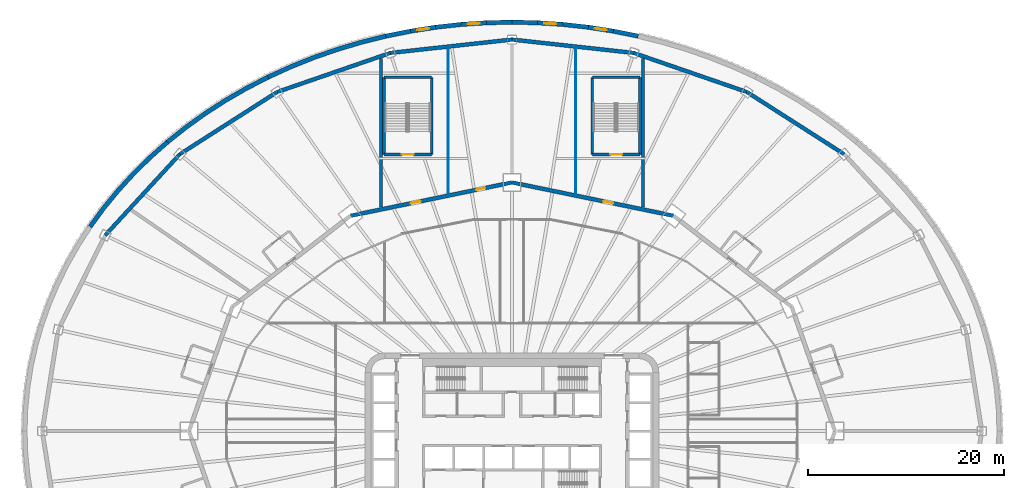
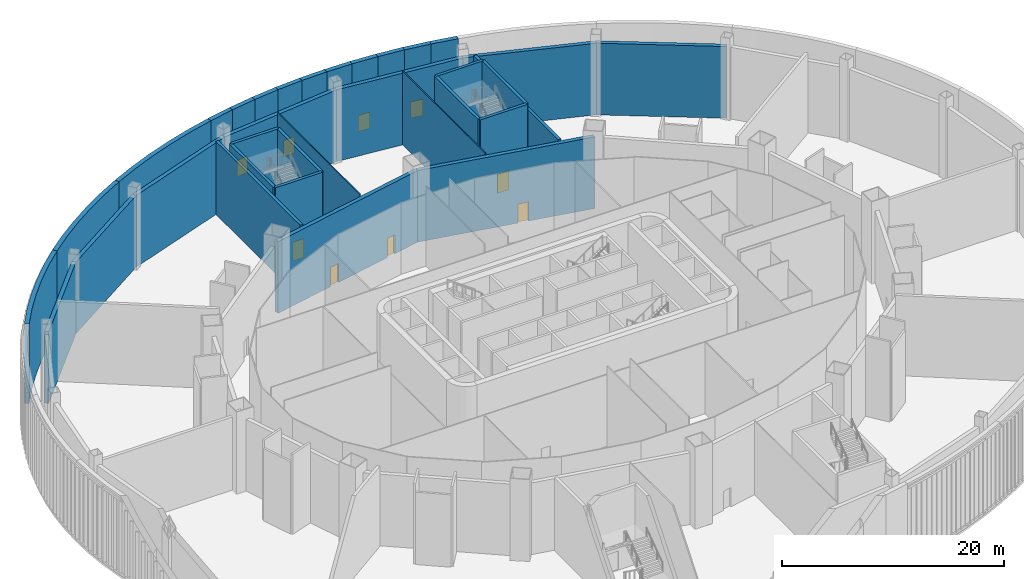
# One storey, part 13 of 35: 34 walls, 5 doors, 4 windows, 9 openings.
"""IFC4 building model written with IfcOpenShell, lengths in metres."""

from ifc_helpers import new_model, si_unit, direction, frame, frame_2d, origin, place, context, subcontext, project, spatial, polyline, rectangle, outline, extrude, material, layer, layer_set, type_object, element, fill, save


model = new_model("IFC4")

# Units and contexts
model_context = context("Model", 3, precision=1e-05, world=origin(), true_north=direction((0.0, 1.0)))
body_context = subcontext(model_context, "Body", "Model", "MODEL_VIEW")
ifc_project = project(units=[si_unit("LENGTHUNIT", "METRE"), si_unit("AREAUNIT", "SQUARE_METRE"), si_unit("VOLUMEUNIT", "CUBIC_METRE"), si_unit("PLANEANGLEUNIT", "RADIAN"), si_unit("MASSUNIT", "GRAM", prefix="KILO")], contexts=[model_context])

# Site, building, storey
site_placement = place(None, origin())
site = spatial("IfcSite", under=ifc_project, at=site_placement, CompositionType="ELEMENT")
building_placement = place(site_placement, origin())
building = spatial("IfcBuilding", under=site, at=building_placement, Name="Sahrelin Media Tower", CompositionType="ELEMENT")
storey_placement = place(building_placement, frame((0.0, 0.0, 8.0)))
storey = spatial("IfcBuildingStorey", under=building, at=storey_placement, Name="L01", CompositionType="ELEMENT", Elevation=8.0)

# Walls
ifc_material_1 = material(Name="Fire-rated gypsum board partition")
ifc_layer_1 = layer(ifc_material_1, 0.300048828125)
ifc_layer_set_1 = layer_set([ifc_layer_1], Name="Fire-rated partition 300")
wall_type_1 = type_object("IfcWallType", Name="Fire-rated partition 300", PredefinedType="PARTITIONING", material=ifc_layer_set_1)
for number, where, z_axis, x_axis, name in (
    (1, (13.39990234375, 22.87158203125, 0.0), (0.0, 0.0, 1.0), (0.0, 1.0, 0.0), "Wall"),
    (2, (-13.39990234375, 22.87158203125, 0.0), (0.0, 0.0, 1.0), (0.0, 1.0, 0.0), "Wall"),
):
    element("IfcWall", number, at=place(storey_placement, frame(where, z_axis=z_axis, x_axis=x_axis)), inside=storey, type_object=wall_type_1, Name=name, PredefinedType="PARTITIONING", context=body_context, shape_type="SweptSolid", body=[
        extrude(rectangle(XDim=15.216796875, YDim=0.300048828125, at=frame_2d((7.6083984375, 0.0))), origin(), (0.0, 0.0, 1.0), 8.02587890625),
    ])
ifc_layer_2 = layer(ifc_material_1, 0.39990234375)
ifc_layer_set_2 = layer_set([ifc_layer_2], Name="Fire-rated partition 400")
wall_type_2 = type_object("IfcWallType", Name="Fire-rated partition 400", PredefinedType="PARTITIONING", material=ifc_layer_set_2)
wall_1_placement = place(storey_placement, frame((33.941162109375, 28.2841796875, 0.0), z_axis=(0.0, 0.0, 1.0), x_axis=(-0.842479506869, 0.538728392147, 0.0)))
element("IfcWall", 3, at=wall_1_placement, inside=storey, type_object=wall_type_2, Name="Wall", PredefinedType="PARTITIONING", context=body_context, shape_type="SweptSolid", body=[
    extrude(rectangle(XDim=11.7998046875, YDim=0.39990234375, at=frame_2d((5.89990234375, 0.0))), origin(), (0.0, 0.0, 1.0), 7.876953125),
])
wall_2_placement = place(storey_placement, frame((24.0, 34.64111328125, 0.0), z_axis=(0.0, 0.0, 1.0), x_axis=(-0.94527485301, 0.326275117449, 0.0)))
element("IfcWall", 4, at=wall_2_placement, inside=storey, type_object=wall_type_2, Name="Wall", PredefinedType="PARTITIONING", context=body_context, shape_type="SweptSolid", body=[
    extrude(rectangle(XDim=12.246826171875, YDim=0.39990234375, at=frame_2d((6.12353515625, 0.0))), origin(), (0.0, 0.0, 1.0), 7.876953125),
])
for number, where, z_axis, x_axis, name in (
    (5, (12.42333984375, 38.636962890625, 0.0), (0.0, 0.0, 1.0), (-0.994035016934, 0.109061382297, 0.0), "Wall"),
    (6, (0.0, 40.0, 0.0), (0.0, 0.0, 1.0), (-0.994035016934, -0.109061382297, 0.0), "Wall"),
):
    element("IfcWall", number, at=place(storey_placement, frame(where, z_axis=z_axis, x_axis=x_axis)), inside=storey, type_object=wall_type_2, Name=name, PredefinedType="PARTITIONING", context=body_context, shape_type="SweptSolid", body=[
        extrude(rectangle(XDim=12.497802734375, YDim=0.39990234375, at=frame_2d((6.2490234375, 0.0))), origin(), (0.0, 0.0, 1.0), 7.876953125),
    ])
wall_3_placement = place(storey_placement, frame((-12.42333984375, 38.636962890625, 0.0), z_axis=(0.0, 0.0, 1.0), x_axis=(-0.94527485301, -0.326275117449, 0.0)))
element("IfcWall", 7, at=wall_3_placement, inside=storey, type_object=wall_type_2, Name="Wall", PredefinedType="PARTITIONING", context=body_context, shape_type="SweptSolid", body=[
    extrude(rectangle(XDim=12.246826171875, YDim=0.39990234375, at=frame_2d((6.12353515625, 0.0))), origin(), (0.0, 0.0, 1.0), 7.876953125),
])
wall_4_placement = place(storey_placement, frame((-24.0, 34.64111328125, 0.0), z_axis=(0.0, 0.0, 1.0), x_axis=(-0.842479506869, -0.538728392147, 0.0)))
element("IfcWall", 8, at=wall_4_placement, inside=storey, type_object=wall_type_2, Name="Wall", PredefinedType="PARTITIONING", context=body_context, shape_type="SweptSolid", body=[
    extrude(rectangle(XDim=11.7998046875, YDim=0.39990234375, at=frame_2d((5.89990234375, 0.0))), origin(), (0.0, 0.0, 1.0), 7.876953125),
])
wall_5_placement = place(storey_placement, frame((-33.941162109375, 28.2841796875, 0.0), z_axis=(0.0, 0.0, 1.0), x_axis=(-0.67736833065, -0.735644033914, 0.0)))
element("IfcWall", 9, at=wall_5_placement, inside=storey, type_object=wall_type_2, Name="Wall", PredefinedType="PARTITIONING", context=body_context, shape_type="SweptSolid", body=[
    extrude(rectangle(XDim=11.26123046875, YDim=0.39990234375, at=frame_2d((5.630615234375, 0.0))), origin(), (0.0, 0.0, 1.0), 7.876953125),
])

# Wall, opening, door
wall_6_placement = place(storey_placement, frame((16.5, 21.9970703125, 0.0), z_axis=(0.0, 0.0, 1.0), x_axis=(-0.979389305257, 0.201981654484, 0.0)))
wall_6 = element("IfcWall", 10, at=wall_6_placement, inside=storey, type_object=wall_type_2, Name="Wall", PredefinedType="PARTITIONING", context=body_context, shape_type="SweptSolid", body=[
    extrude(rectangle(XDim=16.84716796875, YDim=0.39990234375, at=frame_2d((8.423583984375, 0.0))), origin(), (0.0, 0.0, 1.0), 7.8681640625),
])
opening_1_placement = place(wall_6_placement, frame((6.300048828125, 0.0, 0.0)))
opening_1 = element("IfcOpeningElement", 11, at=opening_1_placement, cuts=wall_6, Name="Opening L01-D26", PredefinedType="OPENING", context=body_context, shape_type="SweptSolid", body=[
    extrude(rectangle(XDim=1.0, YDim=2.10009765625, at=frame_2d((0.5, 1.050048828125))), frame((0.0, 0.199951171875, 0.0), z_axis=(0.0, -1.0, 0.0), x_axis=(1.0, 0.0, 0.0)), (0.0, 0.0, 1.0), 0.39990234375),
])
ifc_material_2 = material(Name="Steel fire door leaf", Category="steel")
door_type_1 = type_object("IfcDoorType", Name="Lobby door 1000 x 2100 EI 60", OperationType="NOTDEFINED", PredefinedType="DOOR", material=ifc_material_2)
door_1_placement = place(opening_1_placement, origin())
door_1 = element("IfcDoor", 12, at=door_1_placement, inside=storey, type_object=door_type_1, Name="Lobby door", OperationType="SINGLE_SWING_LEFT", OverallHeight=2.10009765625, OverallWidth=1.0, PredefinedType="DOOR", context=body_context, shape_type="SweptSolid", body=[
    extrude(rectangle(XDim=1.0, YDim=2.10009765625, at=frame_2d((0.5, 1.050048828125))), frame((0.0, 0.02490234375, 0.0), z_axis=(0.0, -1.0, 0.0), x_axis=(1.0, 0.0, 0.0)), (0.0, 0.0, 1.0), 0.050048828125),
])
fill(opening_1, door_1)

# Wall, openings, doors
wall_7_placement = place(storey_placement, frame((0.0, 25.39990234375, 0.0), z_axis=(0.0, 0.0, 1.0), x_axis=(-0.979389305257, -0.201981654484, 0.0)))
wall_7 = element("IfcWall", 13, at=wall_7_placement, inside=storey, type_object=wall_type_2, Name="Wall", PredefinedType="PARTITIONING", context=body_context, shape_type="SweptSolid", body=[
    extrude(rectangle(XDim=16.84716796875, YDim=0.39990234375, at=frame_2d((8.423583984375, 0.0))), origin(), (0.0, 0.0, 1.0), 7.8681640625),
])
opening_2_placement = place(wall_7_placement, frame((9.550048828125, 0.0, 0.0)))
opening_2 = element("IfcOpeningElement", 14, at=opening_2_placement, cuts=wall_7, Name="Opening L01-D25", PredefinedType="OPENING", context=body_context, shape_type="SweptSolid", body=[
    extrude(rectangle(XDim=1.0, YDim=2.10009765625, at=frame_2d((0.5, 1.050048828125))), frame((0.0, 0.199951171875, 0.0), z_axis=(0.0, -1.0, 0.0), x_axis=(1.0, 0.0, 0.0)), (0.0, 0.0, 1.0), 0.39990234375),
])
opening_3_placement = place(wall_7_placement, frame((2.800048828125, 0.0, 0.0)))
opening_3 = element("IfcOpeningElement", 15, at=opening_3_placement, cuts=wall_7, Name="Opening L01-D32", PredefinedType="OPENING", context=body_context, shape_type="SweptSolid", body=[
    extrude(rectangle(XDim=0.89990234375, YDim=2.10009765625, at=frame_2d((0.449951171875, 1.050048828125))), frame((0.0, 0.199951171875, 0.0), z_axis=(0.0, -1.0, 0.0), x_axis=(1.0, 0.0, 0.0)), (0.0, 0.0, 1.0), 0.39990234375),
])
door_2_placement = place(opening_2_placement, origin())
door_2 = element("IfcDoor", 16, at=door_2_placement, inside=storey, type_object=door_type_1, Name="Lobby door", OperationType="SINGLE_SWING_RIGHT", OverallHeight=2.10009765625, OverallWidth=1.0, PredefinedType="DOOR", context=body_context, shape_type="SweptSolid", body=[
    extrude(rectangle(XDim=1.0, YDim=2.10009765625, at=frame_2d((0.5, 1.050048828125))), frame((0.0, 0.02490234375, 0.0), z_axis=(0.0, -1.0, 0.0), x_axis=(1.0, 0.0, 0.0)), (0.0, 0.0, 1.0), 0.050048828125),
])
fill(opening_2, door_2)
ifc_material_3 = material(Name="Timber door leaf", Category="wood")
door_type_2 = type_object("IfcDoorType", Name="Single door 900 x 2100", OperationType="NOTDEFINED", PredefinedType="DOOR", material=ifc_material_3)
door_3_placement = place(opening_3_placement, origin())
door_3 = element("IfcDoor", 17, at=door_3_placement, inside=storey, type_object=door_type_2, Name="Single door", OperationType="SINGLE_SWING_LEFT", OverallHeight=2.10009765625, OverallWidth=0.89990234375, PredefinedType="DOOR", context=body_context, shape_type="SweptSolid", body=[
    extrude(rectangle(XDim=0.89990234375, YDim=2.10009765625, at=frame_2d((0.449951171875, 1.050048828125))), frame((0.0, 0.02490234375, 0.0), z_axis=(0.0, -1.0, 0.0), x_axis=(1.0, 0.0, 0.0)), (0.0, 0.0, 1.0), 0.050048828125),
])
fill(opening_3, door_3)

# Walls
ifc_material_4 = material(Name="Gypsum board partition")
ifc_layer_3 = layer(ifc_material_4, 0.10009765625)
ifc_layer_set_3 = layer_set([ifc_layer_3], Name="Partition 100")
wall_type_3 = type_object("IfcWallType", Name="Partition 100", PredefinedType="PARTITIONING", material=ifc_layer_set_3)
for number, where, z_axis, x_axis, name in (
    (18, (6.5, 24.27392578125, 0.0), (0.0, 0.0, 1.0), (0.0, 1.0, 0.0), "Wall"),
    (19, (-6.5, 24.27392578125, 0.0), (0.0, 0.0, 1.0), (0.0, 1.0, 0.0), "Wall"),
):
    element("IfcWall", number, at=place(storey_placement, frame(where, z_axis=z_axis, x_axis=x_axis)), inside=storey, type_object=wall_type_3, Name=name, PredefinedType="PARTITIONING", context=body_context, shape_type="SweptSolid", body=[
        extrude(rectangle(XDim=14.811767578125, YDim=0.10009765625, at=frame_2d((7.40576171875, 0.0))), origin(), (0.0, 0.0, 1.0), 8.10205078125),
    ])

# Wall, opening, door
ifc_material_5 = material(Name="Concrete C60/75", Category="concrete")
ifc_layer_4 = layer(ifc_material_5, 0.300048828125)
ifc_layer_set_4 = layer_set([ifc_layer_4], Name="Stair enclosure wall 300")
wall_type_4 = type_object("IfcWallType", Name="Stair enclosure wall 300", PredefinedType="SOLIDWALL", material=ifc_layer_set_4)
wall_8_placement = place(storey_placement, frame((13.10009765625, 28.25, 0.0), z_axis=(0.0, 0.0, 1.0), x_axis=(-1.0, 0.0, 0.0)))
wall_8 = element("IfcWall", 20, at=wall_8_placement, inside=storey, type_object=wall_type_4, Name="Stair PS1", PredefinedType="SOLIDWALL", context=body_context, shape_type="SweptSolid", body=[
    extrude(rectangle(XDim=4.900146484375, YDim=0.300048828125, at=frame_2d((2.4501953125, 0.0))), origin(), (0.0, 0.0, 1.0), 8.800048828125),
])
opening_4_placement = place(wall_8_placement, frame((1.85009765625, 0.0, 0.0)))
opening_4 = element("IfcOpeningElement", 21, at=opening_4_placement, cuts=wall_8, Name="Opening L01-D27", PredefinedType="OPENING", context=body_context, shape_type="SweptSolid", body=[
    extrude(rectangle(XDim=1.199951171875, YDim=2.10009765625, at=frame_2d((0.60009765625, 1.050048828125))), frame((0.0, 0.14990234375, 0.0), z_axis=(0.0, -1.0, 0.0), x_axis=(1.0, 0.0, 0.0)), (0.0, 0.0, 1.0), 0.300048828125),
])
door_type_3 = type_object("IfcDoorType", Name="Stair door 1200 x 2100 EI 120", OperationType="NOTDEFINED", PredefinedType="DOOR", material=ifc_material_2)
door_4_placement = place(opening_4_placement, origin())
door_4 = element("IfcDoor", 22, at=door_4_placement, inside=storey, type_object=door_type_3, Name="Stair door", OperationType="SINGLE_SWING_RIGHT", OverallHeight=2.10009765625, OverallWidth=1.199951171875, PredefinedType="DOOR", context=body_context, shape_type="SweptSolid", body=[
    extrude(rectangle(XDim=1.199951171875, YDim=2.10009765625, at=frame_2d((0.60009765625, 1.050048828125))), frame((0.0, 0.02490234375, 0.0), z_axis=(0.0, -1.0, 0.0), x_axis=(1.0, 0.0, 0.0)), (0.0, 0.0, 1.0), 0.050048828125),
])
fill(opening_4, door_4)

# Walls
wall_9_placement = place(storey_placement, frame((8.199951171875, 28.25, 0.0), z_axis=(0.0, 0.0, 1.0), x_axis=(0.0, 1.0, 0.0)))
element("IfcWall", 23, at=wall_9_placement, inside=storey, type_object=wall_type_4, Name="Stair PS1", PredefinedType="SOLIDWALL", context=body_context, shape_type="SweptSolid", body=[
    extrude(rectangle(XDim=7.89990234375, YDim=0.300048828125, at=frame_2d((3.949951171875, 0.0))), origin(), (0.0, 0.0, 1.0), 8.800048828125),
])
wall_10_placement = place(storey_placement, frame((8.199951171875, 36.14990234375, 0.0), z_axis=(0.0, 0.0, 1.0), x_axis=(1.0, 0.0, 0.0)))
element("IfcWall", 24, at=wall_10_placement, inside=storey, type_object=wall_type_4, Name="Stair PS1", PredefinedType="SOLIDWALL", context=body_context, shape_type="SweptSolid", body=[
    extrude(rectangle(XDim=4.900146484375, YDim=0.300048828125, at=frame_2d((2.4501953125, 0.0))), origin(), (0.0, 0.0, 1.0), 8.800048828125),
])
wall_11_placement = place(storey_placement, frame((13.10009765625, 36.14990234375, 0.0), z_axis=(0.0, 0.0, 1.0), x_axis=(0.0, -1.0, 0.0)))
element("IfcWall", 25, at=wall_11_placement, inside=storey, type_object=wall_type_4, Name="Stair PS1", PredefinedType="SOLIDWALL", context=body_context, shape_type="SweptSolid", body=[
    extrude(rectangle(XDim=7.89990234375, YDim=0.300048828125, at=frame_2d((3.949951171875, 0.0))), origin(), (0.0, 0.0, 1.0), 8.800048828125),
])

# Wall, opening, door
wall_12_placement = place(storey_placement, frame((-8.199951171875, 28.25, 0.0), z_axis=(0.0, 0.0, 1.0), x_axis=(-1.0, 0.0, 0.0)))
wall_12 = element("IfcWall", 26, at=wall_12_placement, inside=storey, type_object=wall_type_4, Name="Stair PS2", PredefinedType="SOLIDWALL", context=body_context, shape_type="SweptSolid", body=[
    extrude(rectangle(XDim=4.900146484375, YDim=0.300048828125, at=frame_2d((2.4501953125, 0.0))), origin(), (0.0, 0.0, 1.0), 8.800048828125),
])
opening_5_placement = place(wall_12_placement, frame((1.85009765625, 0.0, 0.0)))
opening_5 = element("IfcOpeningElement", 27, at=opening_5_placement, cuts=wall_12, Name="Opening L01-D28", PredefinedType="OPENING", context=body_context, shape_type="SweptSolid", body=[
    extrude(rectangle(XDim=1.199951171875, YDim=2.10009765625, at=frame_2d((0.60009765625, 1.050048828125))), frame((0.0, 0.14990234375, 0.0), z_axis=(0.0, -1.0, 0.0), x_axis=(1.0, 0.0, 0.0)), (0.0, 0.0, 1.0), 0.300048828125),
])
door_5_placement = place(opening_5_placement, origin())
door_5 = element("IfcDoor", 28, at=door_5_placement, inside=storey, type_object=door_type_3, Name="Stair door", OperationType="SINGLE_SWING_RIGHT", OverallHeight=2.10009765625, OverallWidth=1.199951171875, PredefinedType="DOOR", context=body_context, shape_type="SweptSolid", body=[
    extrude(rectangle(XDim=1.199951171875, YDim=2.10009765625, at=frame_2d((0.60009765625, 1.050048828125))), frame((0.0, 0.02490234375, 0.0), z_axis=(0.0, -1.0, 0.0), x_axis=(1.0, 0.0, 0.0)), (0.0, 0.0, 1.0), 0.050048828125),
])
fill(opening_5, door_5)

# Walls
wall_13_placement = place(storey_placement, frame((-13.10009765625, 28.25, 0.0), z_axis=(0.0, 0.0, 1.0), x_axis=(0.0, 1.0, 0.0)))
element("IfcWall", 29, at=wall_13_placement, inside=storey, type_object=wall_type_4, Name="Stair PS2", PredefinedType="SOLIDWALL", context=body_context, shape_type="SweptSolid", body=[
    extrude(rectangle(XDim=7.89990234375, YDim=0.300048828125, at=frame_2d((3.949951171875, 0.0))), origin(), (0.0, 0.0, 1.0), 8.800048828125),
])
wall_14_placement = place(storey_placement, frame((-13.10009765625, 36.14990234375, 0.0), z_axis=(0.0, 0.0, 1.0), x_axis=(1.0, 0.0, 0.0)))
element("IfcWall", 30, at=wall_14_placement, inside=storey, type_object=wall_type_4, Name="Stair PS2", PredefinedType="SOLIDWALL", context=body_context, shape_type="SweptSolid", body=[
    extrude(rectangle(XDim=4.900146484375, YDim=0.300048828125, at=frame_2d((2.4501953125, 0.0))), origin(), (0.0, 0.0, 1.0), 8.800048828125),
])
wall_15_placement = place(storey_placement, frame((-8.199951171875, 36.14990234375, 0.0), z_axis=(0.0, 0.0, 1.0), x_axis=(0.0, -1.0, 0.0)))
element("IfcWall", 31, at=wall_15_placement, inside=storey, type_object=wall_type_4, Name="Stair PS2", PredefinedType="SOLIDWALL", context=body_context, shape_type="SweptSolid", body=[
    extrude(rectangle(XDim=7.89990234375, YDim=0.300048828125, at=frame_2d((3.949951171875, 0.0))), origin(), (0.0, 0.0, 1.0), 8.800048828125),
])
ifc_material_6 = material(Name="Concrete C40/50", Category="concrete")
ifc_layer_5 = layer(ifc_material_6, 0.449951171875)
ifc_layer_set_5 = layer_set([ifc_layer_5], Name="Studio facade wall")
wall_type_5 = type_object("IfcWallType", Name="Studio facade wall", PredefinedType="SOLIDWALL", material=ifc_layer_set_5)
wall_16_placement = place(storey_placement, frame((12.896484375, 40.348388671875, 0.0), z_axis=(0.0, 0.0, 1.0), x_axis=(-0.980275735323, 0.197634720473, 0.0)))
element("IfcWall", 32, at=wall_16_placement, inside=storey, type_object=wall_type_5, Name="Production office facade wall L01-P05-1", PredefinedType="SOLIDWALL", context=body_context, shape_type="SweptSolid", body=[
    extrude(rectangle(XDim=2.5966796875, YDim=0.449951171875, at=frame_2d((1.29833984375, 0.0))), origin(), (0.0, 0.0, 1.0), 8.800048828125),
])

# Wall, opening, window
wall_17_placement = place(storey_placement, frame((10.361083984375, 40.85986328125, 0.0), z_axis=(0.0, 0.0, 1.0), x_axis=(-0.98810254681, 0.153796479115, 0.0)))
wall_17 = element("IfcWall", 33, at=wall_17_placement, inside=storey, type_object=wall_type_5, Name="Production office facade wall L01-P05-2", PredefinedType="SOLIDWALL", context=body_context, shape_type="SweptSolid", body=[
    extrude(rectangle(XDim=2.60498046875, YDim=0.449951171875, at=frame_2d((1.302490234375, 0.0))), origin(), (0.0, 0.0, 1.0), 8.800048828125),
])
opening_6_placement = place(wall_17_placement, frame((0.702392578125, 0.0, 1.0)))
opening_6 = element("IfcOpeningElement", 34, at=opening_6_placement, cuts=wall_17, Name="Opening WS1", PredefinedType="OPENING", context=body_context, shape_type="SweptSolid", body=[
    extrude(rectangle(XDim=1.199951171875, YDim=1.800048828125, at=frame_2d((0.60009765625, 0.89990234375))), frame((0.0, 0.22509765625, 0.0), z_axis=(0.0, -1.0, 0.0), x_axis=(1.0, 0.0, 0.0)), (0.0, 0.0, 1.0), 0.449951171875),
])
ifc_material_7 = material(Name="Clear low-iron glazing", Category="glass")
window_type = type_object("IfcWindowType", Name="Production office window 1200x1800", PartitioningType="SINGLE_PANEL", PredefinedType="WINDOW", material=ifc_material_7)
window_1_placement = place(opening_6_placement, origin())
window_1 = element("IfcWindow", 35, at=window_1_placement, inside=storey, type_object=window_type, Name="L01:WIN2:L01-P05", OverallHeight=1.800048828125, OverallWidth=1.199951171875, PartitioningType="SINGLE_PANEL", PredefinedType="WINDOW", context=body_context, shape_type="SweptSolid", body=[
    extrude(rectangle(XDim=1.199951171875, YDim=1.800048828125, at=frame_2d((0.60009765625, 0.89990234375))), frame((0.0, 0.030029296875, 0.0), z_axis=(0.0, -1.0, 0.0), x_axis=(1.0, 0.0, 0.0)), (0.0, 0.0, 1.0), 0.06005859375),
])
fill(opening_6, window_1)

# Wall
wall_18_placement = place(storey_placement, frame((7.797119140625, 41.25927734375, 0.0), z_axis=(0.0, 0.0, 1.0), x_axis=(-0.993937205813, 0.109949219644, 0.0)))
element("IfcWall", 36, at=wall_18_placement, inside=storey, type_object=wall_type_5, Name="Production office facade wall L01-P05-3", PredefinedType="SOLIDWALL", context=body_context, shape_type="SweptSolid", body=[
    extrude(rectangle(XDim=2.611328125, YDim=0.449951171875, at=frame_2d((1.3056640625, 0.0))), origin(), (0.0, 0.0, 1.0), 8.800048828125),
])

# Wall, opening, window
wall_19_placement = place(storey_placement, frame((5.211669921875, 41.54541015625, 0.0), z_axis=(0.0, 0.0, 1.0), x_axis=(-0.997819718638, 0.065998553754, 0.0)))
wall_19 = element("IfcWall", 37, at=wall_19_placement, inside=storey, type_object=wall_type_5, Name="Production office facade wall L01-P05-4", PredefinedType="SOLIDWALL", context=body_context, shape_type="SweptSolid", body=[
    extrude(rectangle(XDim=2.615234375, YDim=0.449951171875, at=frame_2d((1.3076171875, 0.0))), origin(), (0.0, 0.0, 1.0), 8.800048828125),
])
opening_7_placement = place(wall_19_placement, frame((0.70751953125, 0.0, 1.0)))
opening_7 = element("IfcOpeningElement", 38, at=opening_7_placement, cuts=wall_19, Name="Opening WS1", PredefinedType="OPENING", context=body_context, shape_type="SweptSolid", body=[
    extrude(rectangle(XDim=1.199951171875, YDim=1.800048828125, at=frame_2d((0.60009765625, 0.89990234375))), frame((0.0, 0.22509765625, 0.0), z_axis=(0.0, -1.0, 0.0), x_axis=(1.0, 0.0, 0.0)), (0.0, 0.0, 1.0), 0.449951171875),
])
window_2_placement = place(opening_7_placement, origin())
window_2 = element("IfcWindow", 39, at=window_2_placement, inside=storey, type_object=window_type, Name="L01:WIN4:L01-P05", OverallHeight=1.800048828125, OverallWidth=1.199951171875, PartitioningType="SINGLE_PANEL", PredefinedType="WINDOW", context=body_context, shape_type="SweptSolid", body=[
    extrude(rectangle(XDim=1.199951171875, YDim=1.800048828125, at=frame_2d((0.60009765625, 0.89990234375))), frame((0.0, 0.030029296875, 0.0), z_axis=(0.0, -1.0, 0.0), x_axis=(1.0, 0.0, 0.0)), (0.0, 0.0, 1.0), 0.06005859375),
])
fill(opening_7, window_2)

# Walls
for number, where, z_axis, x_axis, name in (
    (40, (2.61181640625, 41.717529296875, 0.0), (0.0, 0.0, 1.0), (-0.999757669199, 0.022013697512, 0.0), "Production office facade wall L01-P05-5"),
    (41, (0.0048828125, 41.775146484375, 0.0), (0.0, 0.0, 1.0), (-0.999757669199, -0.022013697512, 0.0), "Production office facade wall L01-P06-1"),
):
    element("IfcWall", number, at=place(storey_placement, frame(where, z_axis=z_axis, x_axis=x_axis)), inside=storey, type_object=wall_type_5, Name=name, PredefinedType="SOLIDWALL", context=body_context, shape_type="SweptSolid", body=[
        extrude(rectangle(XDim=2.617431640625, YDim=0.449951171875, at=frame_2d((1.30859375, 0.0))), origin(), (0.0, 0.0, 1.0), 8.800048828125),
    ])

# Wall, opening, window
wall_20_placement = place(storey_placement, frame((-2.60205078125, 41.718017578125, 0.0), z_axis=(0.0, 0.0, 1.0), x_axis=(-0.997819718638, -0.065998553754, 0.0)))
wall_20 = element("IfcWall", 42, at=wall_20_placement, inside=storey, type_object=wall_type_5, Name="Production office facade wall L01-P06-2", PredefinedType="SOLIDWALL", context=body_context, shape_type="SweptSolid", body=[
    extrude(rectangle(XDim=2.615234375, YDim=0.449951171875, at=frame_2d((1.3076171875, 0.0))), origin(), (0.0, 0.0, 1.0), 8.800048828125),
])
opening_8_placement = place(wall_20_placement, frame((0.70751953125, 0.0, 1.0)))
opening_8 = element("IfcOpeningElement", 43, at=opening_8_placement, cuts=wall_20, Name="Opening WS1", PredefinedType="OPENING", context=body_context, shape_type="SweptSolid", body=[
    extrude(rectangle(XDim=1.199951171875, YDim=1.800048828125, at=frame_2d((0.60009765625, 0.89990234375))), frame((0.0, 0.22509765625, 0.0), z_axis=(0.0, -1.0, 0.0), x_axis=(1.0, 0.0, 0.0)), (0.0, 0.0, 1.0), 0.449951171875),
])
window_3_placement = place(opening_8_placement, origin())
window_3 = element("IfcWindow", 44, at=window_3_placement, inside=storey, type_object=window_type, Name="L01:WIN2:L01-P06", OverallHeight=1.800048828125, OverallWidth=1.199951171875, PartitioningType="SINGLE_PANEL", PredefinedType="WINDOW", context=body_context, shape_type="SweptSolid", body=[
    extrude(rectangle(XDim=1.199951171875, YDim=1.800048828125, at=frame_2d((0.60009765625, 0.89990234375))), frame((0.0, 0.030029296875, 0.0), z_axis=(0.0, -1.0, 0.0), x_axis=(1.0, 0.0, 0.0)), (0.0, 0.0, 1.0), 0.06005859375),
])
fill(opening_8, window_3)

# Wall
wall_21_placement = place(storey_placement, frame((-5.20166015625, 41.54638671875, 0.0), z_axis=(0.0, 0.0, 1.0), x_axis=(-0.993937205813, -0.109949219644, 0.0)))
element("IfcWall", 45, at=wall_21_placement, inside=storey, type_object=wall_type_5, Name="Production office facade wall L01-P06-3", PredefinedType="SOLIDWALL", context=body_context, shape_type="SweptSolid", body=[
    extrude(rectangle(XDim=2.611328125, YDim=0.449951171875, at=frame_2d((1.3056640625, 0.0))), origin(), (0.0, 0.0, 1.0), 8.800048828125),
])

# Wall, opening, window
wall_22_placement = place(storey_placement, frame((-7.787109375, 41.260498046875, 0.0), z_axis=(0.0, 0.0, 1.0), x_axis=(-0.98810254681, -0.153796479115, 0.0)))
wall_22 = element("IfcWall", 46, at=wall_22_placement, inside=storey, type_object=wall_type_5, Name="Production office facade wall L01-P06-4", PredefinedType="SOLIDWALL", context=body_context, shape_type="SweptSolid", body=[
    extrude(rectangle(XDim=2.60498046875, YDim=0.449951171875, at=frame_2d((1.302490234375, 0.0))), origin(), (0.0, 0.0, 1.0), 8.800048828125),
])
opening_9_placement = place(wall_22_placement, frame((0.702392578125, 0.0, 1.0)))
opening_9 = element("IfcOpeningElement", 47, at=opening_9_placement, cuts=wall_22, Name="Opening WS1", PredefinedType="OPENING", context=body_context, shape_type="SweptSolid", body=[
    extrude(rectangle(XDim=1.199951171875, YDim=1.800048828125, at=frame_2d((0.60009765625, 0.89990234375))), frame((0.0, 0.22509765625, 0.0), z_axis=(0.0, -1.0, 0.0), x_axis=(1.0, 0.0, 0.0)), (0.0, 0.0, 1.0), 0.449951171875),
])
window_4_placement = place(opening_9_placement, origin())
window_4 = element("IfcWindow", 48, at=window_4_placement, inside=storey, type_object=window_type, Name="L01:WIN4:L01-P06", OverallHeight=1.800048828125, OverallWidth=1.199951171875, PartitioningType="SINGLE_PANEL", PredefinedType="WINDOW", context=body_context, shape_type="SweptSolid", body=[
    extrude(rectangle(XDim=1.199951171875, YDim=1.800048828125, at=frame_2d((0.60009765625, 0.89990234375))), frame((0.0, 0.030029296875, 0.0), z_axis=(0.0, -1.0, 0.0), x_axis=(1.0, 0.0, 0.0)), (0.0, 0.0, 1.0), 0.06005859375),
])
fill(opening_9, window_4)

# Walls
wall_23_placement = place(storey_placement, frame((-10.35107421875, 40.861572265625, 0.0), z_axis=(0.0, 0.0, 1.0), x_axis=(-0.980275735323, -0.197634720473, 0.0)))
element("IfcWall", 49, at=wall_23_placement, inside=storey, type_object=wall_type_5, Name="Production office facade wall L01-P06-5", PredefinedType="SOLIDWALL", context=body_context, shape_type="SweptSolid", body=[
    extrude(rectangle(XDim=2.5966796875, YDim=0.449951171875, at=frame_2d((1.29833984375, 0.0))), origin(), (0.0, 0.0, 1.0), 8.800048828125),
])
placement = place(storey_placement, origin())
element("IfcWall", 50, at=placement, inside=storey, type_object=wall_type_5, Name="Studio facade wall L01-P07", PredefinedType="SOLIDWALL", context=body_context, shape_type="SweptSolid", body=[
    extrude(outline(polyline([(-12.94091796875, 40.56884765625), (-15.45068359375, 39.9443359375), (-17.91845703125, 39.21044921875), (-20.3369140625, 38.368896484375), (-22.699462890625, 37.42236328125), (-25.0, 36.373046875), (-24.8037109375, 35.96826171875), (-22.5224609375, 37.008544921875), (-20.17919921875, 37.947509765625), (-17.7802734375, 38.781982421875), (-15.332275390625, 39.51025390625), (-12.84228515625, 40.1298828125), (-12.94091796875, 40.56884765625)])), origin(), (0.0, 0.0, 1.0), 8.800048828125),
])
element("IfcWall", 51, at=placement, inside=storey, type_object=wall_type_5, Name="Studio facade wall L01-P08", PredefinedType="SOLIDWALL", context=body_context, shape_type="SweptSolid", body=[
    extrude(outline(polyline([(-25.0, 36.373046875), (-27.23193359375, 35.22412109375), (-29.389404296875, 33.978759765625), (-31.466064453125, 32.64013671875), (-33.45654296875, 31.212158203125), (-35.355224609375, 29.698486328125), (-35.06591796875, 29.35400390625), (-33.18505859375, 30.853271484375), (-31.212890625, 32.26806640625), (-29.15478515625, 33.594482421875), (-27.0166015625, 34.8291015625), (-24.8037109375, 35.96826171875), (-25.0, 36.373046875)])), origin(), (0.0, 0.0, 1.0), 8.800048828125),
])
element("IfcWall", 52, at=placement, inside=storey, type_object=wall_type_5, Name="Studio facade wall L01-P09", PredefinedType="SOLIDWALL", context=body_context, shape_type="SweptSolid", body=[
    extrude(outline(polyline([(-35.355224609375, 29.698486328125), (-37.1572265625, 28.103515625), (-38.857421875, 26.431396484375), (-40.45068359375, 24.68701171875), (-41.93359375, 22.874755859375), (-43.30126953125, 21.0), (-42.930419921875, 20.7451171875), (-41.577392578125, 22.599609375), (-40.1103515625, 24.392578125), (-38.533203125, 26.119140625), (-36.85009765625, 27.7744140625), (-35.06591796875, 29.35400390625), (-35.355224609375, 29.698486328125)])), origin(), (0.0, 0.0, 1.0), 8.800048828125),
])

save(model, "model.ifc")
